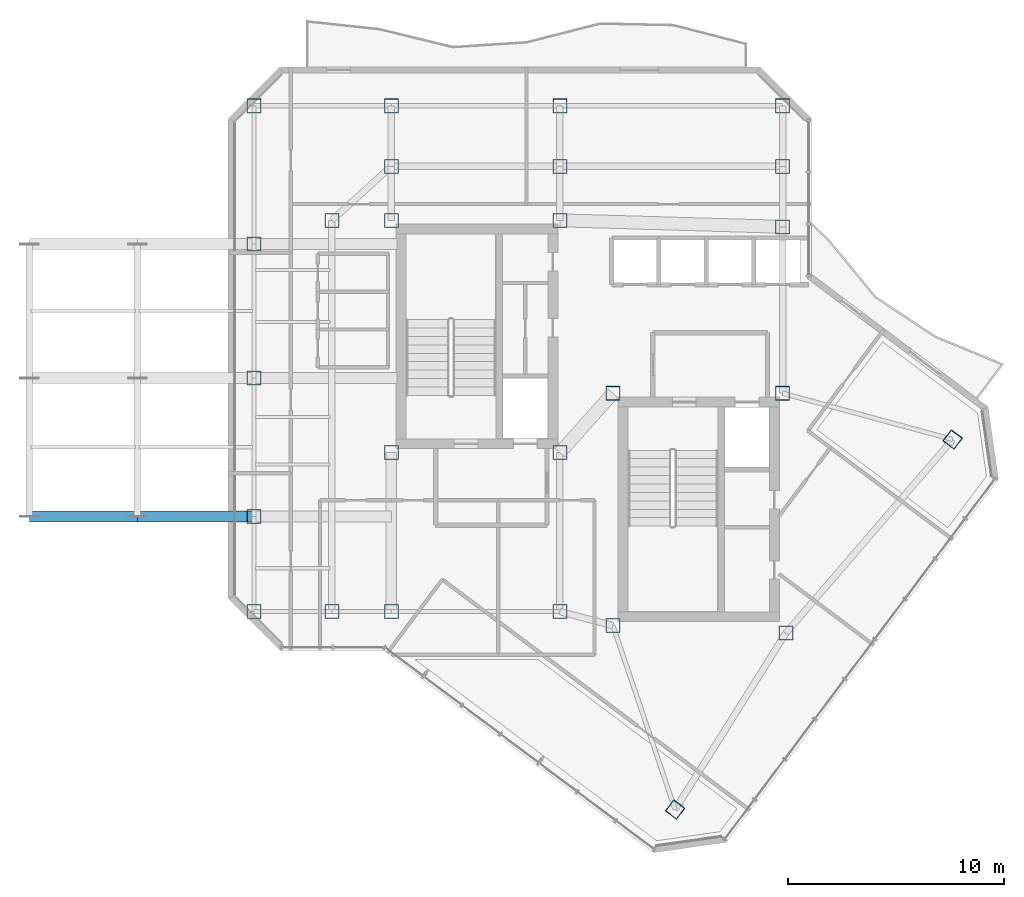
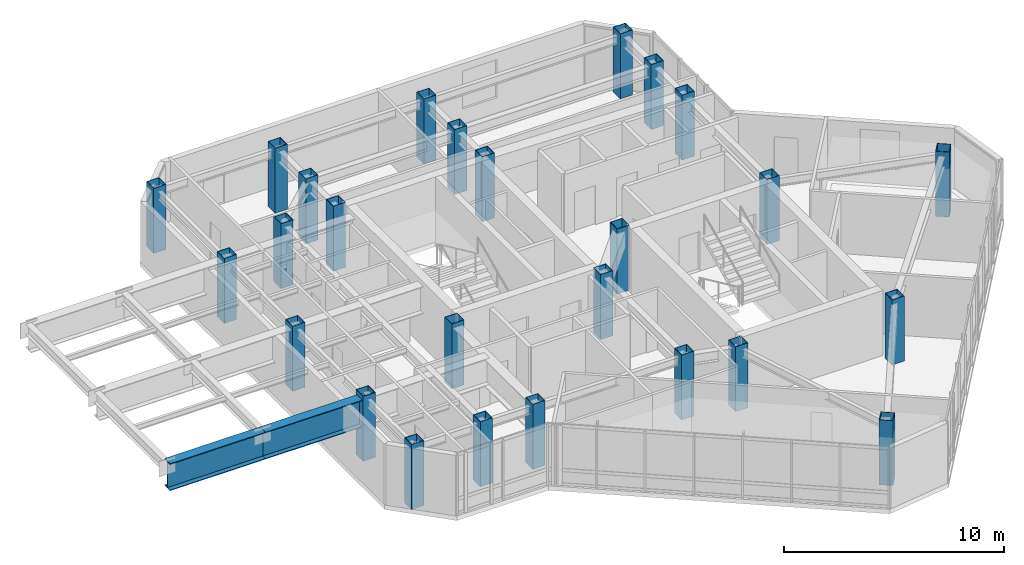
# One storey, part 1 of 17: 26 columns, 2 beams.
"""IFC4 building model written with IfcOpenShell, lengths in metres."""

from ifc_helpers import new_model, si_unit, direction, frame, origin, origin_2d, place, context, subcontext, project, spatial, hollow_rectangle, i_section, extrude, material, material_profile, profile_set, type_object, element, save


model = new_model("IFC4")

# Units and contexts
model_context = context("Model", 3, precision=1e-05, world=origin(), true_north=direction((0.0, 1.0)))
body_context = subcontext(model_context, "Body", "Model", "MODEL_VIEW")
ifc_project = project(units=[si_unit("LENGTHUNIT", "METRE"), si_unit("AREAUNIT", "SQUARE_METRE"), si_unit("VOLUMEUNIT", "CUBIC_METRE"), si_unit("PLANEANGLEUNIT", "RADIAN"), si_unit("MASSUNIT", "GRAM", prefix="KILO")], contexts=[model_context])

# Site, building, storey
site_placement = place(None, origin())
site = spatial("IfcSite", under=ifc_project, at=site_placement, CompositionType="ELEMENT")
building_placement = place(site_placement, origin())
building = spatial("IfcBuilding", under=site, at=building_placement, Name="Hatsunagi Terrace Concourse", CompositionType="ELEMENT")
storey_placement = place(building_placement, frame((0.0, 0.0, 253.949951171875)))
storey = spatial("IfcBuildingStorey", under=building, at=storey_placement, Name="L67", CompositionType="ELEMENT", Elevation=253.949951171875)

# Columns
ifc_material_1 = material(Name="Steel BCP325T", Category="steel")
ifc_material_profile_1 = material_profile(ifc_material_1, hollow_rectangle(XDim=0.64990234375, YDim=0.64990234375, WallThickness=0.02490234375, at=origin_2d()), Name="BCP-650x650x25")
ifc_profile_set_1 = profile_set([ifc_material_profile_1], Name="Steel BCP325T")
column_type = type_object("IfcColumnType", Name="TowerBoxColumn_650x650x25", PredefinedType="COLUMN", material=ifc_profile_set_1)
for number, where, z_axis, x_axis, name in (
    (1, (25.550048828125, 32.550048828125, 0.0), (0.0, 0.0, 1.0), (1.0, 0.0, 0.0), "Column C-09 L67-CASW"),
    (2, (33.35009765625, 32.550048828125, 0.0), (0.0, 0.0, 1.0), (1.0, 0.0, 0.0), "Column C-09 L67-CASE"),
    (3, (25.550048828125, 43.300048828125, 0.0), (0.0, 0.0, 1.0), (1.0, 0.0, 0.0), "Column C-09 L67-CANW"),
    (4, (33.35009765625, 43.300048828125, 0.0), (0.0, 0.0, 1.0), (1.0, 0.0, 0.0), "Column C-09 L67-CANE"),
    (5, (35.800048828125, 24.550048828125, 0.0), (0.0, 0.0, 1.0), (1.0, 0.0, 0.0), "Column C-09 L67-CBSW"),
    (6, (43.800048828125, 24.199951171875, 0.0), (0.0, 0.0, 1.0), (1.0, 0.0, 0.0), "Column C-09 L67-CBSE"),
    (7, (35.800048828125, 35.300048828125, 0.0), (0.0, 0.0, 1.0), (1.0, 0.0, 0.0), "Column C-09 L67-CBNW"),
    (8, (43.64990234375, 35.300048828125, 0.0), (0.0, 0.0, 1.0), (1.0, 0.0, 0.0), "Column C-09 L67-CBNE"),
    (9, (25.550048828125, 25.199951171875, 0.0), (0.0, 0.0, 1.0), (1.0, 0.0, 0.0), "Column C-09 L67-K1"),
    (10, (33.35009765625, 25.199951171875, 0.0), (0.0, 0.0, 1.0), (1.0, 0.0, 0.0), "Column C-09 L67-K2"),
    (11, (43.64990234375, 43.0, 0.0), (0.0, 0.0, 1.0), (1.0, 0.0, 0.0), "Column C-09 L67-K3"),
    (12, (25.550048828125, 45.800048828125, 0.0), (0.0, 0.0, 1.0), (1.0, 0.0, 0.0), "Column C-09 L67-CN1"),
    (13, (33.35009765625, 45.800048828125, 0.0), (0.0, 0.0, 1.0), (1.0, 0.0, 0.0), "Column C-09 L67-CN2"),
    (14, (43.64990234375, 45.800048828125, 0.0), (0.0, 0.0, 1.0), (1.0, 0.0, 0.0), "Column C-09 L67-CN3"),
    (15, (19.199951171875, 48.60009765625, 0.0), (0.0, 0.0, 1.0), (1.0, 0.0, 0.0), "Column C-09 L67-WN3"),
    (16, (25.550048828125, 48.60009765625, 0.0), (0.0, 0.0, 1.0), (1.0, 0.0, 0.0), "Column C-09 L67-WN4"),
    (17, (33.35009765625, 48.60009765625, 0.0), (0.0, 0.0, 1.0), (1.0, 0.0, 0.0), "Column C-09 L67-WN5"),
    (18, (43.64990234375, 48.60009765625, 0.0), (0.0, 0.0, 1.0), (1.0, 0.0, 0.0), "Column C-09 L67-WN6"),
    (19, (19.199951171875, 25.199951171875, 0.0), (0.0, 0.0, 1.0), (1.0, 0.0, 0.0), "Column C-09 L67-WS3"),
    (20, (19.199951171875, 29.60009765625, 0.0), (0.0, 0.0, 1.0), (1.0, 0.0, 0.0), "Column C-09 L67-WR1"),
    (21, (19.199951171875, 42.199951171875, 0.0), (0.0, 0.0, 1.0), (1.0, 0.0, 0.0), "Column C-09 L67-WR2"),
    (22, (22.800048828125, 25.199951171875, 0.0), (0.0, 0.0, 1.0), (1.0, 0.0, 0.0), "Column C-09 L67-CW1"),
    (23, (22.800048828125, 43.300048828125, 0.0), (0.0, 0.0, 1.0), (1.0, 0.0, 0.0), "Column C-09 L67-CW2"),
    (24, (19.199951171875, 36.0, 0.0), (0.0, 0.0, 1.0), (1.0, 0.0, 0.0), "Column C-09 L67-WT2"),
    (25, (38.679931640625, 16.0400390625, 0.0), (0.0, 0.0, 1.0), (0.799999996291, -0.600000004945, 0.0), "Column C-09 L67-SES1"),
    (26, (51.52001953125, 33.159912109375, 0.0), (0.0, 0.0, 1.0), (0.799999996291, -0.600000004945, 0.0), "Column C-09 L67-SEN1"),
):
    element("IfcColumn", number, at=place(storey_placement, frame(where, z_axis=z_axis, x_axis=x_axis)), inside=storey, type_object=column_type, Name=name, PredefinedType="COLUMN", context=body_context, shape_type="SweptSolid", body=[
        extrude(hollow_rectangle(XDim=0.64990234375, YDim=0.64990234375, WallThickness=0.02490234375, at=origin_2d()), origin(), (0.0, 0.0, 1.0), 3.60009765625),
    ])

# Beams
ifc_material_2 = material(Name="Steel SN490C", Category="steel")
ifc_material_profile_2 = material_profile(ifc_material_2, i_section(OverallWidth=0.5, OverallDepth=1.5, WebThickness=0.028076171875, FlangeThickness=0.0380859375, at=origin_2d()), Name="BH-1500x500x28x38")
ifc_profile_set_2 = profile_set([ifc_material_profile_2], Name="Steel SN490C")
beam_type = type_object("IfcBeamType", Name="SkyLoungeTrussGirder_BH_1500x500x28x38", PredefinedType="USERDEFINED", material=ifc_profile_set_2)
beam_1_placement = place(storey_placement, frame((19.199951171875, 29.60009765625, 2.60009765625), z_axis=(-1.0, 0.0, 0.0), x_axis=(0.0, -1.0, 0.0)))
element("IfcBeam", 27, at=beam_1_placement, inside=storey, type_object=beam_type, Name="Transfer girder SLT-01 SLT-L67-C1-1", ObjectType="TRANSFER_GIRDER", PredefinedType="USERDEFINED", context=body_context, shape_type="SweptSolid", body=[
    extrude(i_section(OverallWidth=0.5, OverallDepth=1.5, WebThickness=0.028076171875, FlangeThickness=0.0380859375, at=origin_2d()), origin(), (0.0, 0.0, 1.0), 5.39990234375),
])
beam_2_placement = place(storey_placement, frame((13.800048828125, 29.60009765625, 2.60009765625), z_axis=(-1.0, 0.0, 0.0), x_axis=(0.0, -1.0, 0.0)))
element("IfcBeam", 28, at=beam_2_placement, inside=storey, type_object=beam_type, Name="Transfer girder SLT-01 SLT-L67-C2-1", ObjectType="TRANSFER_GIRDER", PredefinedType="USERDEFINED", context=body_context, shape_type="SweptSolid", body=[
    extrude(i_section(OverallWidth=0.5, OverallDepth=1.5, WebThickness=0.028076171875, FlangeThickness=0.0380859375, at=origin_2d()), origin(), (0.0, 0.0, 1.0), 5.0),
])

save(model, "model.ifc")
